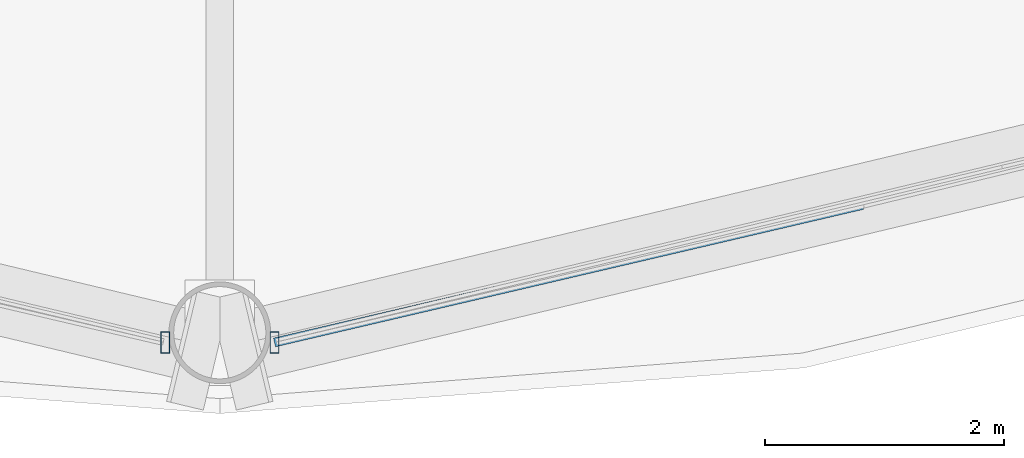
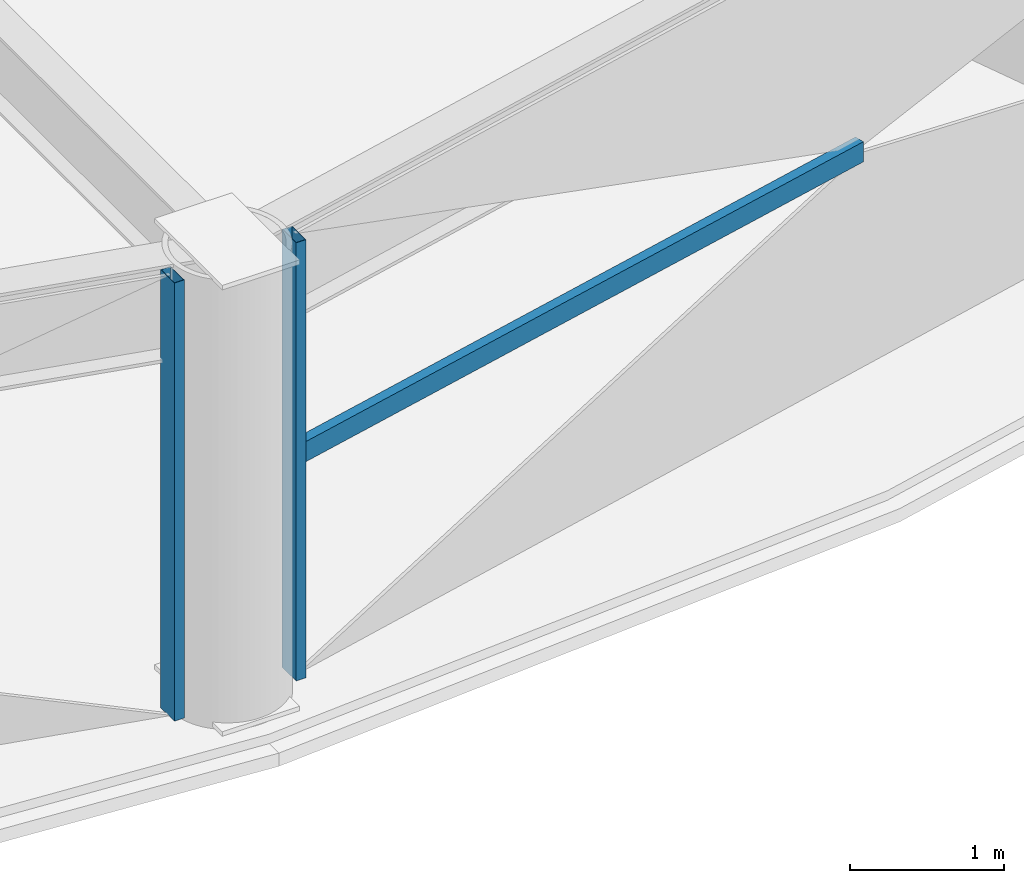
# One storey, part 4 of 30: 3 members, 2 elements without a shape of their own.
"""IFC4 building model written with IfcOpenShell, lengths in metres."""

import ifcopenshell
import ifcopenshell.guid

model = None  # the IFC model being written
_history = None  # IfcOwnerHistory: only IFC2X3 demands one
_inside = {}  # id of a spatial element -> (the spatial element, [elements in it])
_under = {}  # id of a project, library or spatial element -> (it, [spatial elements below it])
_declared = {}  # id of a project -> (the project, [libraries it declares])
_typed = {}  # id of a type object -> (the type object, [elements of that type])
_made_of = {}  # id of a material, layer set ... -> (it, [elements and type objects made of it])


def new_model(schema):
    """Start an empty IFC model of exactly this schema.

    Asked for "IFC4X3", IfcOpenShell would pick the latest addendum, in which some entities
    have other attributes; the version numbers below select the first issue.
    IFC2X3 requires an IfcOwnerHistory on every rooted entity: one is made here for all.
    """
    global model, _history
    if schema == "IFC4X3":
        model = ifcopenshell.file(schema_version=(4, 3, 0, 0))
    else:
        model = ifcopenshell.file(schema=schema)
    _inside.clear()
    _under.clear()
    _declared.clear()
    _typed.clear()
    _made_of.clear()
    _history = None
    if model.schema == "IFC2X3":
        org = make("IfcOrganization", Name="unknown")
        user = make(
            "IfcPersonAndOrganization",
            ThePerson=make("IfcPerson", FamilyName="unknown"),
            TheOrganization=org,
        )
        app = make(
            "IfcApplication",
            ApplicationDeveloper=org,
            Version="unknown",
            ApplicationFullName="unknown",
            ApplicationIdentifier="unknown",
        )
        _history = make(
            "IfcOwnerHistory",
            OwningUser=user,
            OwningApplication=app,
            ChangeAction="ADDED",
            CreationDate=0,
        )
    return model


def make(cls, **values):
    """One entity of the class cls with the attributes given. An attribute that is None is left unset."""
    return model.create_entity(
        cls, **{name: value for name, value in values.items() if value is not None}
    )


def rooted(cls, **values):
    """An entity with a GlobalId (a new one), such as an element, a storey or a relation."""
    return make(cls, GlobalId=ifcopenshell.guid.new(), OwnerHistory=_history, **values)


def si_unit(unit_type, name, prefix=None):
    """IfcSIUnit, for example si_unit("LENGTHUNIT", "METRE", prefix="MILLI")."""
    return make("IfcSIUnit", UnitType=unit_type, Prefix=prefix, Name=name)


def assignment(units):
    """IfcUnitAssignment: the units of a project."""
    return None if units is None else make("IfcUnitAssignment", Units=units)


def point(xyz):
    """IfcCartesianPoint."""
    return None if xyz is None else make("IfcCartesianPoint", Coordinates=xyz)


def direction(xyz):
    """IfcDirection."""
    return None if xyz is None else make("IfcDirection", DirectionRatios=xyz)


def frame(location, z_axis=None, x_axis=None):
    """IfcAxis2Placement3D, a coordinate frame: its origin and axes. An axis left out is left unset."""
    return make(
        "IfcAxis2Placement3D",
        Location=point(location),
        Axis=direction(z_axis),
        RefDirection=direction(x_axis),
    )


def frame_2d(location, x_axis=None):
    """IfcAxis2Placement2D, a coordinate frame in the plane: its origin and x axis."""
    return make(
        "IfcAxis2Placement2D", Location=point(location), RefDirection=direction(x_axis)
    )


def origin():
    """The frame at (0, 0, 0) with its axes left unset."""
    return frame((0.0, 0.0, 0.0))


def origin_2d():
    """The frame at (0, 0) in the plane with its x axis left unset."""
    return frame_2d((0.0, 0.0))


def place(relative_to, where):
    """IfcLocalPlacement: puts the frame where relative to a parent placement (None: the world)."""
    return make(
        "IfcLocalPlacement", PlacementRelTo=relative_to, RelativePlacement=where
    )


def context(
    kind, dimensions, precision=None, world=None, true_north=None, identifier=None
):
    """IfcGeometricRepresentationContext, for example the 3D "Model" context."""
    return make(
        "IfcGeometricRepresentationContext",
        ContextIdentifier=identifier,
        ContextType=kind,
        CoordinateSpaceDimension=dimensions,
        Precision=precision,
        WorldCoordinateSystem=world,
        TrueNorth=true_north,
    )


def subcontext(parent, identifier, kind, view, scale=None):
    """IfcGeometricRepresentationSubContext, for example "Body" below "Model"."""
    return make(
        "IfcGeometricRepresentationSubContext",
        ContextIdentifier=identifier,
        ContextType=kind,
        ParentContext=parent,
        TargetScale=scale,
        TargetView=view,
    )


def project(units=None, contexts=None):
    """IfcProject with its units and contexts."""
    return rooted(
        "IfcProject",
        Name="project",
        RepresentationContexts=contexts,
        UnitsInContext=assignment(units),
    )


def spatial(cls, under=None, at=None, **own):
    """A site, building, storey or space (cls), placed at a placement, below another one or the project."""
    s = rooted(cls, ObjectPlacement=at, **own)
    if under is not None:
        _under.setdefault(under.id(), (under, []))[1].append(s)
    return s


def profile(cls, at=None, kind="AREA", **sizes):
    """A parametric profile (cls). Its sizes go by their IFC names, for example OverallWidth=200.0."""
    return make(cls, ProfileType=kind, Position=at, **sizes)


def hollow_rectangle(**sizes):
    """IfcRectangleHollowProfileDef."""
    return profile("IfcRectangleHollowProfileDef", **sizes)


def extrude(swept, where, along, depth):
    """IfcExtrudedAreaSolid: the profile swept, set in the frame where, extruded along a direction by depth."""
    return make(
        "IfcExtrudedAreaSolid",
        SweptArea=swept,
        Position=where,
        ExtrudedDirection=direction(along),
        Depth=depth,
    )


def shape(context_of_items, identifier, shape_type, items):
    """IfcShapeRepresentation: the items that make up one representation, for example the "Body"."""
    return make(
        "IfcShapeRepresentation",
        ContextOfItems=context_of_items,
        RepresentationIdentifier=identifier,
        RepresentationType=shape_type,
        Items=items,
    )


def material(Name=None, Category=None):
    """IfcMaterial."""
    return make("IfcMaterial", Name=Name, Category=Category)


def layer(
    of_material, thickness, ventilated=None, Name=None, Category=None, Priority=None
):
    """IfcMaterialLayer: one layer of a wall or slab, of a material (None: an air gap)."""
    return make(
        "IfcMaterialLayer",
        Material=of_material,
        LayerThickness=thickness,
        IsVentilated=ventilated,
        Name=Name,
        Category=Category,
        Priority=Priority,
    )


def layer_set(layers, Name=None):
    """IfcMaterialLayerSet."""
    return make("IfcMaterialLayerSet", MaterialLayers=layers, LayerSetName=Name)


def material_profile(
    of_material, cross_section, Name=None, Category=None, Priority=None
):
    """IfcMaterialProfile: a cross section and its material."""
    return make(
        "IfcMaterialProfile",
        Name=Name,
        Material=of_material,
        Profile=cross_section,
        Priority=Priority,
        Category=Category,
    )


def profile_set(profiles, Name=None, composite=None):
    """IfcMaterialProfileSet."""
    return make(
        "IfcMaterialProfileSet",
        Name=Name,
        MaterialProfiles=profiles,
        CompositeProfile=composite,
    )


def made_of(thing, what):
    """Note that an element or type object is made of a material, layer set ...; save() writes the relation."""
    if what is not None:
        _made_of.setdefault(what.id(), (what, []))[1].append(thing)
    return thing


def type_object(cls, material=None, **own):
    """A type object (cls), such as IfcWallType, which elements share."""
    return made_of(rooted(cls, **own), material)


def element(
    cls,
    number,
    at=None,
    inside=None,
    cuts=None,
    type_object=None,
    material=None,
    context=None,
    identifier="Body",
    shape_type=None,
    held_by="IfcProductDefinitionShape",
    body=None,
    shapes=None,
    **own,
):
    """One element of the class cls, such as IfcWall. Its Tag is "e" and its number.

    at: its placement. inside: the storey or other place that contains it. cuts: it is an
    opening in that element (IfcRelVoidsElement). A single representation is given by context,
    identifier, shape_type and body (its items); several are given by shapes. held_by: the class
    of the entity that holds the representations. save() writes the other relations.
    """
    e = rooted(cls, Tag="e%d" % number, ObjectPlacement=at, **own)
    if body is not None:
        shapes = [shape(context, identifier, shape_type, body)]
    if shapes is not None:
        e.Representation = make(held_by, Representations=shapes)
    if inside is not None:
        _inside.setdefault(inside.id(), (inside, []))[1].append(e)
    if cuts is not None:
        rooted(
            "IfcRelVoidsElement", RelatingBuildingElement=cuts, RelatedOpeningElement=e
        )
    if type_object is not None:
        _typed.setdefault(type_object.id(), (type_object, []))[1].append(e)
    return made_of(e, material)


def aggregate(whole, parts):
    """IfcRelAggregates: a whole, such as a stair, and the parts it consists of."""
    return rooted("IfcRelAggregates", RelatingObject=whole, RelatedObjects=parts)


def save(model, path):
    """Write the relations noted so far, then the file.

    IfcRelAggregates (storeys below a building ...), IfcRelContainedInSpatialStructure (elements
    in a storey), IfcRelDefinesByType, IfcRelAssociatesMaterial and IfcRelDeclares: one each for
    every whole, place, type object, material and project.
    """
    for whole, parts in _under.values():
        aggregate(whole, parts)
    for where, things in _inside.values():
        rooted(
            "IfcRelContainedInSpatialStructure",
            RelatedElements=things,
            RelatingStructure=where,
        )
    for kind, things in _typed.values():
        rooted("IfcRelDefinesByType", RelatedObjects=things, RelatingType=kind)
    for what, things in _made_of.values():
        rooted("IfcRelAssociatesMaterial", RelatedObjects=things, RelatingMaterial=what)
    for by, libraries in _declared.values():
        rooted("IfcRelDeclares", RelatingContext=by, RelatedDefinitions=libraries)
    model.write(path)


model = new_model("IFC4")

# Units and contexts
model_context = context("Model", 3, precision=1e-05, world=origin(), true_north=direction((0.0, 1.0)))
body_context = subcontext(model_context, "Body", "Model", "MODEL_VIEW")
ifc_project = project(units=[si_unit("LENGTHUNIT", "METRE"), si_unit("AREAUNIT", "SQUARE_METRE"), si_unit("VOLUMEUNIT", "CUBIC_METRE"), si_unit("PLANEANGLEUNIT", "RADIAN"), si_unit("MASSUNIT", "GRAM", prefix="KILO")], contexts=[model_context])

# Site, building, storey
site_placement = place(None, origin())
site = spatial("IfcSite", under=ifc_project, at=site_placement, CompositionType="ELEMENT")
building_placement = place(site_placement, origin())
building = spatial("IfcBuilding", under=site, at=building_placement, Name="Vantalir Tower", CompositionType="ELEMENT")
storey_placement = place(building_placement, frame((0.0, 0.0, 57.0)))
storey = spatial("IfcBuildingStorey", under=building, at=storey_placement, Name="L13", CompositionType="ELEMENT", Elevation=57.0)

# Curtain wall, member
ifc_material_1 = material(Name="Champagne-silver PVDF aluminium and double-silver Low-E glass", Category="aluminium")
ifc_layer = layer(ifc_material_1, 0.18994140625)
ifc_layer_set = layer_set([ifc_layer], Name="Champagne-silver PVDF aluminium and double-silver Low-E glass")
curtain_wall_type = type_object("IfcCurtainWallType", Name="CW-DIAMOND-Z1", PredefinedType="USERDEFINED", material=ifc_layer_set)
curtain_wall_1_placement = place(storey_placement, origin())
curtain_wall_1 = element("IfcCurtainWall", 1, at=curtain_wall_1_placement, inside=storey, type_object=curtain_wall_type, Name="L13 Quilted Pyramid-Diamond Curtain Wall S09", ObjectType="UNITISED CURTAIN WALL", PredefinedType="USERDEFINED")
ifc_material_2 = material(Name="Champagne-silver PVDF aluminium 6063-T6", Category="aluminium")
ifc_material_profile_1 = material_profile(ifc_material_2, hollow_rectangle(XDim=0.074951171875, YDim=0.179931640625, WallThickness=0.00390625, at=origin_2d()), Name="Champagne-silver PVDF aluminium 6063-T6")
ifc_profile_set_1 = profile_set([ifc_material_profile_1], Name="Champagne-silver PVDF aluminium 6063-T6")
member_type_1 = type_object("IfcMemberType", Name="CWM-180x75", PredefinedType="MULLION", material=ifc_profile_set_1)
member_1_placement = place(storey_placement, frame((31.04296875, 0.468017578125, 0.044921875), z_axis=(0.0, 0.0, 1.0), x_axis=(1.0, 0.0, 0.0)))
member_1 = element("IfcMember", 2, at=member_1_placement, type_object=member_type_1, Name="CW-L13-S09 Mullion 2", PredefinedType="MULLION", context=body_context, shape_type="SweptSolid", body=[
    extrude(hollow_rectangle(XDim=0.074951171875, YDim=0.179931640625, WallThickness=0.00390625, at=origin_2d()), origin(), (0.0, 0.0, 1.0), 3.47998046875),
])
aggregate(curtain_wall_1, [member_1])

# Curtain wall, members
curtain_wall_2_placement = place(storey_placement, origin())
curtain_wall_2 = element("IfcCurtainWall", 3, at=curtain_wall_2_placement, inside=storey, type_object=curtain_wall_type, Name="L13 Quilted Pyramid-Diamond Curtain Wall S10", ObjectType="UNITISED CURTAIN WALL", PredefinedType="USERDEFINED")
member_2_placement = place(storey_placement, frame((31.95703125, 0.468017578125, 0.044921875), z_axis=(0.0, 0.0, 1.0), x_axis=(1.0, 0.0, 0.0)))
member_2 = element("IfcMember", 4, at=member_2_placement, type_object=member_type_1, Name="CW-L13-S10 Mullion 1", PredefinedType="MULLION", context=body_context, shape_type="SweptSolid", body=[
    extrude(hollow_rectangle(XDim=0.074951171875, YDim=0.179931640625, WallThickness=0.00390625, at=origin_2d()), origin(), (0.0, 0.0, 1.0), 3.47998046875),
])
ifc_material_profile_2 = material_profile(ifc_material_2, hollow_rectangle(XDim=0.074951171875, YDim=0.159912109375, WallThickness=0.00390625, at=origin_2d()), Name="Champagne-silver PVDF aluminium 6063-T6")
ifc_profile_set_2 = profile_set([ifc_material_profile_2], Name="Champagne-silver PVDF aluminium 6063-T6")
member_type_2 = type_object("IfcMemberType", Name="CWT-160x75", PredefinedType="USERDEFINED", material=ifc_profile_set_2)
member_3_placement = place(storey_placement, frame((31.95703125, 0.468017578125, 1.784912109375), z_axis=(0.973740042159, 0.227662755618, 0.0), x_axis=(-0.227662755618, 0.973740042159, 0.0)))
member_3 = element("IfcMember", 5, at=member_3_placement, type_object=member_type_2, Name="CW-L13-S10 Pyramid Fold Ridge Transom", ObjectType="TRANSOM", PredefinedType="USERDEFINED", context=body_context, shape_type="SweptSolid", body=[
    extrude(hollow_rectangle(XDim=0.074951171875, YDim=0.159912109375, WallThickness=0.00390625, at=origin_2d()), origin(), (0.0, 0.0, 1.0), 5.042236328125),
])
aggregate(curtain_wall_2, [member_2, member_3])

save(model, "model.ifc")
